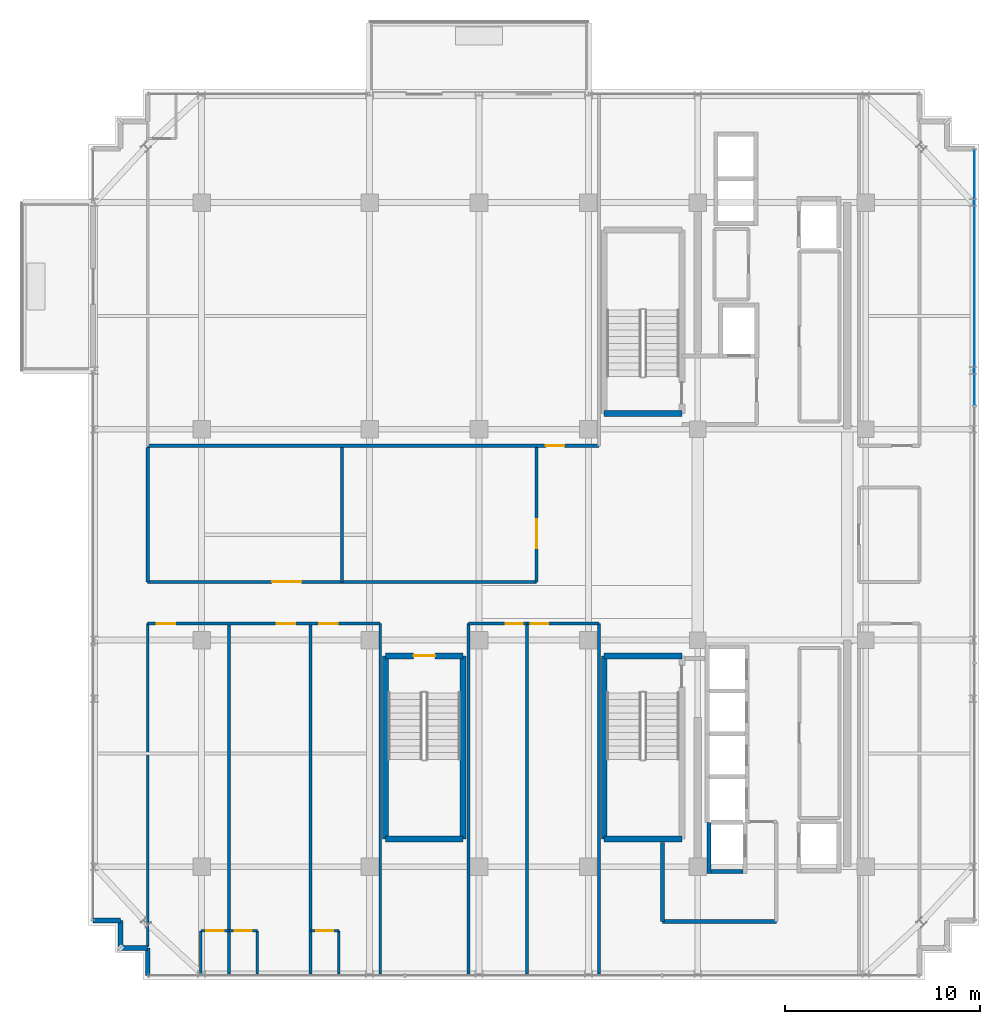
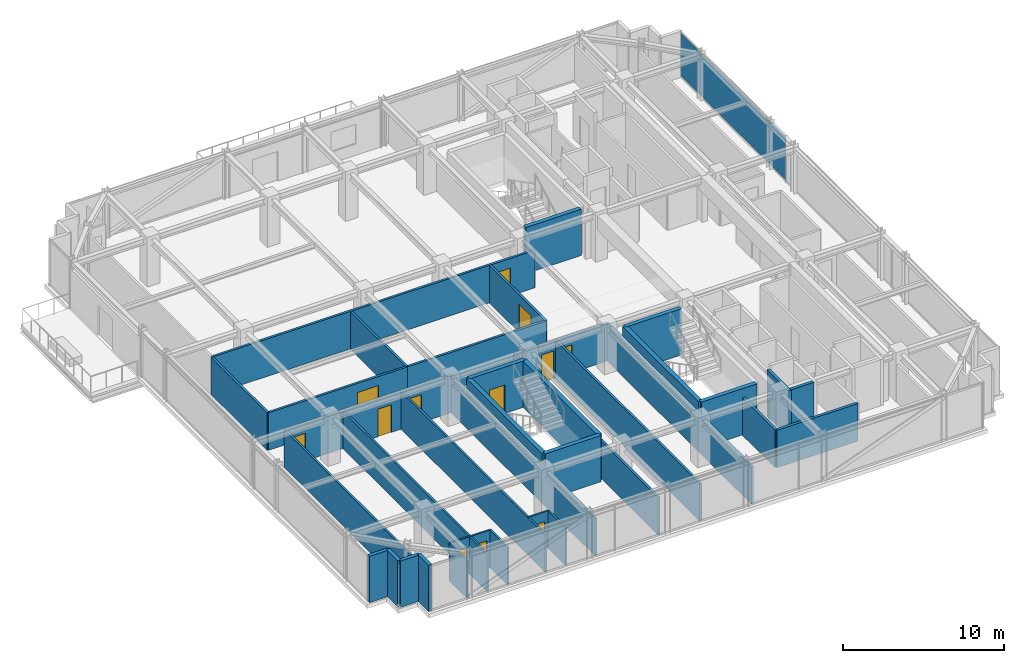
# One storey, part 30 of 36: 38 walls, 12 doors, 1 plate, 12 openings, 1 element without a shape of its own.
"""IFC4 building model written with IfcOpenShell, lengths in metres."""

from ifc_helpers import new_model, si_unit, direction, frame, frame_2d, origin, origin_2d, place, context, subcontext, project, spatial, rectangle, extrude, source, transform, mapped, material, layer, layer_set, type_object, element, fill, aggregate, save


model = new_model("IFC4")

# Units and contexts
model_context = context("Model", 3, precision=1e-05, world=origin(), true_north=direction((0.0, 1.0)))
body_context = subcontext(model_context, "Body", "Model", "MODEL_VIEW")
ifc_project = project(units=[si_unit("LENGTHUNIT", "METRE"), si_unit("AREAUNIT", "SQUARE_METRE"), si_unit("VOLUMEUNIT", "CUBIC_METRE"), si_unit("PLANEANGLEUNIT", "RADIAN"), si_unit("MASSUNIT", "GRAM", prefix="KILO")], contexts=[model_context])

# Site, building, storey
site_placement = place(None, origin())
site = spatial("IfcSite", under=ifc_project, at=site_placement, CompositionType="ELEMENT")
building_placement = place(site_placement, origin())
building = spatial("IfcBuilding", under=site, at=building_placement, Name="Nahalor Promenade Grand Hotel", CompositionType="ELEMENT")
storey_placement = place(building_placement, frame((0.0, 0.0, 319.550048828125)))
storey = spatial("IfcBuildingStorey", under=building, at=storey_placement, Name="L82", CompositionType="ELEMENT", Elevation=319.550048828125)

# Curtain wall, plate
ifc_material_1 = material(Name="Anodised Bronze Aluminium EN AW-6063 T6", Category="aluminium")
curtain_wall_type = type_object("IfcCurtainWallType", Name="CW2 Typical Hotel Flush Bronze Unitised Curtain Wall", PredefinedType="USERDEFINED", material=ifc_material_1)
curtain_wall_placement = place(storey_placement, origin())
curtain_wall = element("IfcCurtainWall", 1, at=curtain_wall_placement, inside=storey, type_object=curtain_wall_type, Name="L82 Curtain Wall CW-L82-E-1", ObjectType="UNITISED_CURTAIN_WALL", PredefinedType="USERDEFINED")
ifc_material_2 = material(Name="Low-E Laminated Solar Glass", Category="glass")
ifc_layer_1 = layer(ifc_material_2, 0.028076171875)
ifc_layer_set_1 = layer_set([ifc_layer_1], Name="Low-E Laminated Solar Glass")
plate_type = type_object("IfcPlateType", Name="CWP2 Bronze Low-E Vision IGU 28mm", PredefinedType="CURTAIN_PANEL", material=ifc_layer_set_1)
shared_shape_1 = source(origin(), body_context, "Body", "SweptSolid", [
    extrude(rectangle(XDim=13.075927734375, YDim=0.028076171875, at=origin_2d()), origin(), (0.0, 0.0, 1.0), 3.239990234375),
])
plate_placement = place(storey_placement, frame((22.56005859375, 13.156982421875, 0.1298828125), z_axis=(0.0, 0.0, 1.0), x_axis=(0.0, 1.0, 0.0)))
plate = element("IfcPlate", 2, at=plate_placement, type_object=plate_type, Name="CW-L82-E-1 Glazing Panel 2-0", PredefinedType="CURTAIN_PANEL", context=body_context, shape_type="MappedRepresentation", body=[
    mapped(shared_shape_1, transform((0.0, 0.0, 0.0), scale=1.0)),
])
aggregate(curtain_wall, [plate])

# Walls
ifc_material_3 = material(Name="Concrete B-50 (C40/50)", Category="concrete")
ifc_layer_2 = layer(ifc_material_3, 0.300048828125)
ifc_layer_set_2 = layer_set([ifc_layer_2], Name="Concrete B-50 (C40/50)")
wall_type_1 = type_object("IfcWallType", Name="Wall-ShaftShear-300", PredefinedType="SHEAR", material=ifc_layer_set_2)
shared_shape_2 = source(origin(), body_context, "Body", "SweptSolid", [
    extrude(rectangle(XDim=3.97998046875, YDim=0.300048828125, at=frame_2d((1.989990234375, 0.0))), origin(), (0.0, 0.0, 1.0), 3.5),
])
for number, where, z_axis, x_axis, name in (
    (3, (3.610107421875, 6.2099609375, 0.0), (0.0, 0.0, 1.0), (1.0, 0.0, 0.0), "L82 Exit Stair ST1 Shaft Wall S"),
    (4, (3.610107421875, -15.590087890625, 0.0), (0.0, 0.0, 1.0), (1.0, 0.0, 0.0), "L82 Exit Stair ST2 Shaft Wall S"),
    (5, (3.610107421875, -6.2099609375, 0.0), (0.0, 0.0, 1.0), (1.0, 0.0, 0.0), "L82 Exit Stair ST2 Shaft Wall N"),
    (6, (-7.590087890625, -15.590087890625, 0.0), (0.0, 0.0, 1.0), (1.0, 0.0, 0.0), "L82 Exit Stair ST3 Shaft Wall S"),
):
    element("IfcWall", number, at=place(storey_placement, frame(where, z_axis=z_axis, x_axis=x_axis)), inside=storey, type_object=wall_type_1, Name=name, PredefinedType="SHEAR", context=body_context, shape_type="MappedRepresentation", body=[
        mapped(shared_shape_2, transform((0.0, 0.0, 0.0), scale=1.0)),
    ])

# Wall, opening, door
wall_1_placement = place(storey_placement, frame((-7.590087890625, -6.2099609375, 0.0), z_axis=(0.0, 0.0, 1.0), x_axis=(1.0, 0.0, 0.0)))
wall_1 = element("IfcWall", 7, at=wall_1_placement, inside=storey, type_object=wall_type_1, Name="L82 Exit Stair ST3 Shaft Wall N", PredefinedType="SHEAR", context=body_context, shape_type="MappedRepresentation", body=[
    mapped(shared_shape_2, transform((0.0, 0.0, 0.0), scale=1.0)),
])
opening_1_placement = place(wall_1_placement, frame((1.43994140625, 0.0, 0.0)))
opening_1 = element("IfcOpeningElement", 8, at=opening_1_placement, cuts=wall_1, Name="Opening D-ST1", PredefinedType="OPENING", context=body_context, shape_type="SweptSolid", body=[
    extrude(rectangle(XDim=1.10009765625, YDim=2.14990234375, at=frame_2d((0.550048828125, 1.074951171875))), frame((0.0, 0.159912109375, 0.0), z_axis=(0.0, -1.0, 0.0), x_axis=(1.0, 0.0, 0.0)), (0.0, 0.0, 1.0), 0.320068359375),
])
ifc_material_4 = material(Name="Steel S355JR", Category="steel")
door_type_1 = type_object("IfcDoorType", Name="Door-StairFire-1100", OperationType="NOTDEFINED", PredefinedType="DOOR", material=ifc_material_4)
shared_shape_3 = source(origin(), body_context, "Body", "SweptSolid", [
    extrude(rectangle(XDim=1.10009765625, YDim=2.14990234375, at=frame_2d((0.550048828125, 1.074951171875))), frame((0.0, 0.02490234375, 0.0), z_axis=(0.0, -1.0, 0.0), x_axis=(1.0, 0.0, 0.0)), (0.0, 0.0, 1.0), 0.050048828125),
])
door_1_placement = place(opening_1_placement, frame((1.10009765625, 0.0, 0.0), z_axis=(0.0, 0.0, 1.0), x_axis=(-1.0, 0.0, 0.0)))
door_1 = element("IfcDoor", 9, at=door_1_placement, inside=storey, type_object=door_type_1, Name="DR-STAIR-ST3-L82", OperationType="SINGLE_SWING_LEFT", OverallHeight=2.14990234375, OverallWidth=1.10009765625, PredefinedType="DOOR", context=body_context, shape_type="MappedRepresentation", body=[
    mapped(shared_shape_3, transform((0.0, 0.0, 0.0), scale=1.0)),
])
fill(opening_1, door_1)

# Walls
shared_shape_4 = source(origin(), body_context, "Body", "SweptSolid", [
    extrude(rectangle(XDim=9.380126953125, YDim=0.300048828125, at=frame_2d((4.68994140625, 0.0))), origin(), (0.0, 0.0, 1.0), 3.5),
])
for number, where, z_axis, x_axis, name in (
    (10, (3.610107421875, -15.590087890625, 0.0), (0.0, 0.0, 1.0), (0.0, 1.0, 0.0), "L82 Exit Stair ST2 Shaft Wall W"),
    (11, (-7.590087890625, -15.590087890625, 0.0), (0.0, 0.0, 1.0), (0.0, 1.0, 0.0), "L82 Exit Stair ST3 Shaft Wall W"),
    (12, (-3.610107421875, -15.590087890625, 0.0), (0.0, 0.0, 1.0), (0.0, 1.0, 0.0), "L82 Exit Stair ST3 Shaft Wall E"),
):
    element("IfcWall", number, at=place(storey_placement, frame(where, z_axis=z_axis, x_axis=x_axis)), inside=storey, type_object=wall_type_1, Name=name, PredefinedType="SHEAR", context=body_context, shape_type="MappedRepresentation", body=[
        mapped(shared_shape_4, transform((0.0, 0.0, 0.0), scale=1.0)),
    ])
ifc_layer_3 = layer(ifc_material_3, 0.219970703125)
ifc_layer_set_3 = layer_set([ifc_layer_3], Name="Concrete B-50 (C40/50)")
wall_type_2 = type_object("IfcWallType", Name="Wall-LiftShaft-220", PredefinedType="SHEAR", material=ifc_layer_set_3)
shared_shape_5 = source(origin(), body_context, "Body", "SweptSolid", [
    extrude(rectangle(XDim=2.635009765625, YDim=0.219970703125, at=frame_2d((1.3173828125, 0.0))), origin(), (0.0, 0.0, 1.0), 3.5),
])
wall_2_placement = place(storey_placement, frame((8.97998046875, -17.360107421875, 0.0), z_axis=(0.0, 0.0, 1.0), x_axis=(0.0, 1.0, 0.0)))
element("IfcWall", 13, at=wall_2_placement, inside=storey, type_object=wall_type_2, Name="L82 Lift FL2 Hoistway Wall W", PredefinedType="SHEAR", context=body_context, shape_type="MappedRepresentation", body=[
    mapped(shared_shape_5, transform((0.0, 0.0, 0.0), scale=1.0)),
])
shared_shape_6 = source(origin(), body_context, "Body", "SweptSolid", [
    extrude(rectangle(XDim=1.619873046875, YDim=0.219970703125, at=frame_2d((0.81005859375, 0.0))), origin(), (0.0, 0.0, 1.0), 3.5),
])
wall_3_placement = place(storey_placement, frame((9.090087890625, -17.25, 0.0), z_axis=(0.0, 0.0, 1.0), x_axis=(1.0, 0.0, 0.0)))
element("IfcWall", 14, at=wall_3_placement, inside=storey, type_object=wall_type_2, Name="L82 Lift FL2 Hoistway Wall S", PredefinedType="SHEAR", context=body_context, shape_type="MappedRepresentation", body=[
    mapped(shared_shape_6, transform((0.0, 0.0, 0.0), scale=1.0)),
])
ifc_material_5 = material(Name="Concrete B-40 (C32/40)", Category="concrete")
ifc_layer_4 = layer(ifc_material_5, 0.25)
ifc_layer_set_4 = layer_set([ifc_layer_4], Name="Concrete B-40 (C32/40)")
wall_type_3 = type_object("IfcWallType", Name="Wall-BronzePier-250", PredefinedType="STANDARD", material=ifc_layer_set_4)
shared_shape_7 = source(origin(), body_context, "Body", "SweptSolid", [
    extrude(rectangle(XDim=1.400146484375, YDim=0.25, at=frame_2d((0.7001953125, 0.0))), origin(), (0.0, 0.0, 1.0), 3.5),
])
for number, where, z_axis, x_axis, name in (
    (15, (-22.56005859375, -19.760009765625, 0.0), (0.0, 0.0, 1.0), (1.0, 0.0, 0.0), "W-L82-SR-13"),
    (16, (-19.760009765625, -22.56005859375, 0.0), (0.0, 0.0, 1.0), (0.0, 1.0, 0.0), "W-L82-SR-16"),
):
    element("IfcWall", number, at=place(storey_placement, frame(where, z_axis=z_axis, x_axis=x_axis)), inside=storey, type_object=wall_type_3, Name=name, PredefinedType="STANDARD", context=body_context, shape_type="MappedRepresentation", body=[
        mapped(shared_shape_7, transform((0.0, 0.0, 0.0), scale=1.0)),
    ])
shared_shape_8 = source(origin(), body_context, "Body", "SweptSolid", [
    extrude(rectangle(XDim=1.39990234375, YDim=0.25, at=frame_2d((0.699951171875, 0.0))), origin(), (0.0, 0.0, 1.0), 3.5),
])
for number, where, z_axis, x_axis, name in (
    (17, (-21.159912109375, -21.159912109375, 0.0), (0.0, 0.0, 1.0), (0.0, 1.0, 0.0), "W-L82-SR-14"),
    (18, (-21.159912109375, -21.159912109375, 0.0), (0.0, 0.0, 1.0), (1.0, 0.0, 0.0), "W-L82-SR-15"),
):
    element("IfcWall", number, at=place(storey_placement, frame(where, z_axis=z_axis, x_axis=x_axis)), inside=storey, type_object=wall_type_3, Name=name, PredefinedType="STANDARD", context=body_context, shape_type="MappedRepresentation", body=[
        mapped(shared_shape_8, transform((0.0, 0.0, 0.0), scale=1.0)),
    ])
ifc_layer_5 = layer(ifc_material_5, 0.199951171875)
ifc_layer_set_5 = layer_set([ifc_layer_5], Name="Concrete B-40 (C32/40)")
wall_type_4 = type_object("IfcWallType", Name="Wall-PartFire-200", PredefinedType="PARTITIONING", material=ifc_layer_set_5)
shared_shape_9 = source(origin(), body_context, "Body", "SweptSolid", [
    extrude(rectangle(XDim=5.81982421875, YDim=0.199951171875, at=frame_2d((2.909912109375, 0.0))), origin(), (0.0, 0.0, 1.0), 2.83984375),
])
wall_4_placement = place(storey_placement, frame((6.60009765625, -19.800048828125, 0.0), z_axis=(0.0, 0.0, 1.0), x_axis=(1.0, 0.0, 0.0)))
element("IfcWall", 19, at=wall_4_placement, inside=storey, type_object=wall_type_4, Name="W-L82-FF2-S1", PredefinedType="PARTITIONING", context=body_context, shape_type="MappedRepresentation", body=[
    mapped(shared_shape_9, transform((0.0, 0.0, 0.0), scale=1.0)),
])
shared_shape_10 = source(origin(), body_context, "Body", "SweptSolid", [
    extrude(rectangle(XDim=4.030029296875, YDim=0.199951171875, at=frame_2d((2.01513671875, 0.0))), origin(), (0.0, 0.0, 1.0), 2.83984375),
])
wall_5_placement = place(storey_placement, frame((6.60009765625, -19.800048828125, 0.0), z_axis=(0.0, 0.0, 1.0), x_axis=(0.0, 1.0, 0.0)))
element("IfcWall", 20, at=wall_5_placement, inside=storey, type_object=wall_type_4, Name="W-L82-FF2-W1", PredefinedType="PARTITIONING", context=body_context, shape_type="MappedRepresentation", body=[
    mapped(shared_shape_10, transform((0.0, 0.0, 0.0), scale=1.0)),
])
ifc_material_6 = material(Name="Acoustic Mineral Gypsum", Category="gypsum")
ifc_layer_6 = layer(ifc_material_6, 0.159912109375)
ifc_layer_set_6 = layer_set([ifc_layer_6], Name="Acoustic Mineral Gypsum")
wall_type_5 = type_object("IfcWallType", Name="Wall-PartCorridor-160", PredefinedType="PARTITIONING", material=ifc_layer_set_6)
shared_shape_11 = source(origin(), body_context, "Body", "SweptSolid", [
    extrude(rectangle(XDim=17.949951171875, YDim=0.159912109375, at=frame_2d((8.97509765625, 0.0))), origin(), (0.0, 0.0, 1.0), 2.83984375),
])
for number, where, z_axis, x_axis, name in (
    (21, (-3.340087890625, -22.5, 0.0), (0.0, 0.0, 1.0), (0.0, 1.0, 0.0), "W-L82-SCB1-W"),
    (22, (-0.35009765625, -22.5, 0.0), (0.0, 0.0, 1.0), (0.0, 1.0, 0.0), "W-L82-SCB1-E"),
    (23, (3.340087890625, -22.5, 0.0), (0.0, 0.0, 1.0), (0.0, 1.0, 0.0), "W-L82-SCB2-E"),
):
    element("IfcWall", number, at=place(storey_placement, frame(where, z_axis=z_axis, x_axis=x_axis)), inside=storey, type_object=wall_type_5, Name=name, PredefinedType="PARTITIONING", context=body_context, shape_type="MappedRepresentation", body=[
        mapped(shared_shape_11, transform((0.0, 0.0, 0.0), scale=1.0)),
    ])

# Wall, opening, door
shared_shape_12 = source(origin(), body_context, "Body", "SweptSolid", [
    extrude(rectangle(XDim=23.10009765625, YDim=0.159912109375, at=frame_2d((11.550048828125, 0.0))), origin(), (0.0, 0.0, 1.0), 2.83984375),
])
wall_6_placement = place(storey_placement, frame((-19.760009765625, 4.550048828125, 0.0), z_axis=(0.0, 0.0, 1.0), x_axis=(1.0, 0.0, 0.0)))
wall_6 = element("IfcWall", 24, at=wall_6_placement, inside=storey, type_object=wall_type_5, Name="W-L82-CORR-N", PredefinedType="PARTITIONING", context=body_context, shape_type="MappedRepresentation", body=[
    mapped(shared_shape_12, transform((0.0, 0.0, 0.0), scale=1.0)),
])
opening_2_placement = place(wall_6_placement, frame((20.385009765625, 0.0, 0.0)))
opening_2 = element("IfcOpeningElement", 25, at=opening_2_placement, cuts=wall_6, Name="Opening D-01", PredefinedType="OPENING", context=body_context, shape_type="SweptSolid", body=[
    extrude(rectangle(XDim=0.949951171875, YDim=2.10009765625, at=frame_2d((0.47509765625, 1.050048828125))), frame((0.0, 0.08984375, 0.0), z_axis=(0.0, -1.0, 0.0), x_axis=(1.0, 0.0, 0.0)), (0.0, 0.0, 1.0), 0.179931640625),
])
ifc_material_7 = material(Name="Fire-Rated Timber Composite", Category="wood")
door_type_2 = type_object("IfcDoorType", Name="Door-GuestEntry-950", OperationType="NOTDEFINED", PredefinedType="DOOR", material=ifc_material_7)
shared_shape_13 = source(origin(), body_context, "Body", "SweptSolid", [
    extrude(rectangle(XDim=0.949951171875, YDim=2.10009765625, at=frame_2d((0.47509765625, 1.050048828125))), frame((0.0, 0.02490234375, 0.0), z_axis=(0.0, -1.0, 0.0), x_axis=(1.0, 0.0, 0.0)), (0.0, 0.0, 1.0), 0.050048828125),
])
door_2_placement = place(opening_2_placement, origin())
door_2 = element("IfcDoor", 26, at=door_2_placement, inside=storey, type_object=door_type_2, Name="DR-L82-N1-ENT", OperationType="SINGLE_SWING_RIGHT", OverallHeight=2.10009765625, OverallWidth=0.949951171875, PredefinedType="DOOR", context=body_context, shape_type="MappedRepresentation", body=[
    mapped(shared_shape_13, transform((0.0, 0.0, 0.0), scale=1.0)),
])
fill(opening_2, door_2)

# Walls
ifc_layer_7 = layer(ifc_material_6, 0.139892578125)
ifc_layer_set_7 = layer_set([ifc_layer_7], Name="Acoustic Mineral Gypsum")
wall_type_6 = type_object("IfcWallType", Name="Wall-PartSuite-140", PredefinedType="PARTITIONING", material=ifc_layer_set_7)
shared_shape_14 = source(origin(), body_context, "Body", "SweptSolid", [
    extrude(rectangle(XDim=16.530029296875, YDim=0.139892578125, at=frame_2d((8.26513671875, 0.0))), origin(), (0.0, 0.0, 1.0), 2.83984375),
])
wall_7_placement = place(storey_placement, frame((-19.760009765625, -21.080078125, 0.0), z_axis=(0.0, 0.0, 1.0), x_axis=(0.0, 1.0, 0.0)))
element("IfcWall", 27, at=wall_7_placement, inside=storey, type_object=wall_type_6, Name="W-L82-SW-ENDW", PredefinedType="PARTITIONING", context=body_context, shape_type="MappedRepresentation", body=[
    mapped(shared_shape_14, transform((0.0, 0.0, 0.0), scale=1.0)),
])
shared_shape_15 = source(origin(), body_context, "Body", "SweptSolid", [
    extrude(rectangle(XDim=17.949951171875, YDim=0.139892578125, at=frame_2d((8.97509765625, 0.0))), origin(), (0.0, 0.0, 1.0), 2.83984375),
])
for number, where, z_axis, x_axis, name in (
    (28, (-7.860107421875, -22.5, 0.0), (0.0, 0.0, 1.0), (0.0, 1.0, 0.0), "W-L82-SW-ENDE"),
    (29, (-15.594970703125, -22.5, 0.0), (0.0, 0.0, 1.0), (0.0, 1.0, 0.0), "W-L82-SP-1"),
    (30, (-11.429931640625, -22.5, 0.0), (0.0, 0.0, 1.0), (0.0, 1.0, 0.0), "W-L82-SP-2"),
):
    element("IfcWall", number, at=place(storey_placement, frame(where, z_axis=z_axis, x_axis=x_axis)), inside=storey, type_object=wall_type_6, Name=name, PredefinedType="PARTITIONING", context=body_context, shape_type="MappedRepresentation", body=[
        mapped(shared_shape_15, transform((0.0, 0.0, 0.0), scale=1.0)),
    ])

# Wall, opening, door
ifc_layer_8 = layer(ifc_material_6, 0.1201171875)
ifc_layer_set_8 = layer_set([ifc_layer_8], Name="Acoustic Mineral Gypsum")
wall_type_7 = type_object("IfcWallType", Name="Wall-PartBath-120", PredefinedType="PARTITIONING", material=ifc_layer_set_8)
shared_shape_16 = source(origin(), body_context, "Body", "SweptSolid", [
    extrude(rectangle(XDim=1.449951171875, YDim=0.1201171875, at=frame_2d((0.72509765625, 0.0))), origin(), (0.0, 0.0, 1.0), 2.83984375),
])
wall_8_placement = place(storey_placement, frame((-17.044921875, -20.280029296875, 0.0), z_axis=(0.0, 0.0, 1.0), x_axis=(1.0, 0.0, 0.0)))
wall_8 = element("IfcWall", 31, at=wall_8_placement, inside=storey, type_object=wall_type_7, Name="W-L82-S1-BH", PredefinedType="PARTITIONING", context=body_context, shape_type="MappedRepresentation", body=[
    mapped(shared_shape_16, transform((0.0, 0.0, 0.0), scale=1.0)),
])
opening_3_placement = place(wall_8_placement, frame((0.284912109375, 0.0, 0.0)))
opening_3 = element("IfcOpeningElement", 32, at=opening_3_placement, cuts=wall_8, Name="Opening D-03", PredefinedType="OPENING", context=body_context, shape_type="SweptSolid", body=[
    extrude(rectangle(XDim=0.8798828125, YDim=2.10009765625, at=frame_2d((0.43994140625, 1.050048828125))), frame((0.0, 0.070068359375, 0.0), z_axis=(0.0, -1.0, 0.0), x_axis=(1.0, 0.0, 0.0)), (0.0, 0.0, 1.0), 0.14013671875),
])
door_type_3 = type_object("IfcDoorType", Name="Door-BathSwing-880", OperationType="NOTDEFINED", PredefinedType="DOOR", material=ifc_material_7)
shared_shape_17 = source(origin(), body_context, "Body", "SweptSolid", [
    extrude(rectangle(XDim=0.8798828125, YDim=2.10009765625, at=frame_2d((0.43994140625, 1.050048828125))), frame((0.0, 0.02490234375, 0.0), z_axis=(0.0, -1.0, 0.0), x_axis=(1.0, 0.0, 0.0)), (0.0, 0.0, 1.0), 0.050048828125),
])
door_3_placement = place(opening_3_placement, frame((0.8798828125, 0.0, 0.0), z_axis=(0.0, 0.0, 1.0), x_axis=(-1.0, 0.0, 0.0)))
door_3 = element("IfcDoor", 33, at=door_3_placement, inside=storey, type_object=door_type_3, Name="DR-L82-S1-BATH", OperationType="SINGLE_SWING_LEFT", OverallHeight=2.10009765625, OverallWidth=0.8798828125, PredefinedType="DOOR", context=body_context, shape_type="MappedRepresentation", body=[
    mapped(shared_shape_17, transform((0.0, 0.0, 0.0), scale=1.0)),
])
fill(opening_3, door_3)

wall_9_placement = place(storey_placement, frame((-15.594970703125, -20.280029296875, 0.0), z_axis=(0.0, 0.0, 1.0), x_axis=(1.0, 0.0, 0.0)))
wall_9 = element("IfcWall", 34, at=wall_9_placement, inside=storey, type_object=wall_type_7, Name="W-L82-S2-BH", PredefinedType="PARTITIONING", context=body_context, shape_type="MappedRepresentation", body=[
    mapped(shared_shape_16, transform((0.0, 0.0, 0.0), scale=1.0)),
])
opening_4_placement = place(wall_9_placement, frame((0.284912109375, 0.0, 0.0)))
opening_4 = element("IfcOpeningElement", 35, at=opening_4_placement, cuts=wall_9, Name="Opening D-03", PredefinedType="OPENING", context=body_context, shape_type="SweptSolid", body=[
    extrude(rectangle(XDim=0.8798828125, YDim=2.10009765625, at=frame_2d((0.43994140625, 1.050048828125))), frame((0.0, 0.070068359375, 0.0), z_axis=(0.0, -1.0, 0.0), x_axis=(1.0, 0.0, 0.0)), (0.0, 0.0, 1.0), 0.14013671875),
])
door_4_placement = place(opening_4_placement, frame((0.8798828125, 0.0, 0.0), z_axis=(0.0, 0.0, 1.0), x_axis=(-1.0, 0.0, 0.0)))
door_4 = element("IfcDoor", 36, at=door_4_placement, inside=storey, type_object=door_type_3, Name="DR-L82-S2-BATH", OperationType="SINGLE_SWING_LEFT", OverallHeight=2.10009765625, OverallWidth=0.8798828125, PredefinedType="DOOR", context=body_context, shape_type="MappedRepresentation", body=[
    mapped(shared_shape_17, transform((0.0, 0.0, 0.0), scale=1.0)),
])
fill(opening_4, door_4)

wall_10_placement = place(storey_placement, frame((-11.429931640625, -20.280029296875, 0.0), z_axis=(0.0, 0.0, 1.0), x_axis=(1.0, 0.0, 0.0)))
wall_10 = element("IfcWall", 37, at=wall_10_placement, inside=storey, type_object=wall_type_7, Name="W-L82-S3-BH", PredefinedType="PARTITIONING", context=body_context, shape_type="MappedRepresentation", body=[
    mapped(shared_shape_16, transform((0.0, 0.0, 0.0), scale=1.0)),
])
opening_5_placement = place(wall_10_placement, frame((0.284912109375, 0.0, 0.0)))
opening_5 = element("IfcOpeningElement", 38, at=opening_5_placement, cuts=wall_10, Name="Opening D-03", PredefinedType="OPENING", context=body_context, shape_type="SweptSolid", body=[
    extrude(rectangle(XDim=0.8798828125, YDim=2.10009765625, at=frame_2d((0.43994140625, 1.050048828125))), frame((0.0, 0.070068359375, 0.0), z_axis=(0.0, -1.0, 0.0), x_axis=(1.0, 0.0, 0.0)), (0.0, 0.0, 1.0), 0.14013671875),
])
door_5_placement = place(opening_5_placement, frame((0.8798828125, 0.0, 0.0), z_axis=(0.0, 0.0, 1.0), x_axis=(-1.0, 0.0, 0.0)))
door_5 = element("IfcDoor", 39, at=door_5_placement, inside=storey, type_object=door_type_3, Name="DR-L82-S3-BATH", OperationType="SINGLE_SWING_LEFT", OverallHeight=2.10009765625, OverallWidth=0.8798828125, PredefinedType="DOOR", context=body_context, shape_type="MappedRepresentation", body=[
    mapped(shared_shape_17, transform((0.0, 0.0, 0.0), scale=1.0)),
])
fill(opening_5, door_5)

# Walls
shared_shape_18 = source(origin(), body_context, "Body", "SweptSolid", [
    extrude(rectangle(XDim=2.219970703125, YDim=0.1201171875, at=frame_2d((1.10986328125, 0.0))), origin(), (0.0, 0.0, 1.0), 2.83984375),
])
for number, where, z_axis, x_axis, name in (
    (40, (-17.044921875, -22.5, 0.0), (0.0, 0.0, 1.0), (0.0, 1.0, 0.0), "W-L82-S1-BV"),
    (41, (-14.14501953125, -22.5, 0.0), (0.0, 0.0, 1.0), (0.0, 1.0, 0.0), "W-L82-S2-BV"),
    (42, (-9.97998046875, -22.5, 0.0), (0.0, 0.0, 1.0), (0.0, 1.0, 0.0), "W-L82-S3-BV"),
):
    element("IfcWall", number, at=place(storey_placement, frame(where, z_axis=z_axis, x_axis=x_axis)), inside=storey, type_object=wall_type_7, Name=name, PredefinedType="PARTITIONING", context=body_context, shape_type="MappedRepresentation", body=[
        mapped(shared_shape_18, transform((0.0, 0.0, 0.0), scale=1.0)),
    ])

# Wall, openings, doors
shared_shape_19 = source(origin(), body_context, "Body", "SweptSolid", [
    extrude(rectangle(XDim=11.89990234375, YDim=0.159912109375, at=frame_2d((5.949951171875, 0.0))), origin(), (0.0, 0.0, 1.0), 2.83984375),
])
wall_11_placement = place(storey_placement, frame((-19.760009765625, -4.550048828125, 0.0), z_axis=(0.0, 0.0, 1.0), x_axis=(1.0, 0.0, 0.0)))
wall_11 = element("IfcWall", 43, at=wall_11_placement, inside=storey, type_object=wall_type_5, Name="W-L82-CORR-S", PredefinedType="PARTITIONING", context=body_context, shape_type="MappedRepresentation", body=[
    mapped(shared_shape_19, transform((0.0, 0.0, 0.0), scale=1.0)),
])
opening_6_placement = place(wall_11_placement, frame((0.45703125, 0.0, 0.0)))
opening_6 = element("IfcOpeningElement", 44, at=opening_6_placement, cuts=wall_11, Name="Opening D-01", PredefinedType="OPENING", context=body_context, shape_type="SweptSolid", body=[
    extrude(rectangle(XDim=0.949951171875, YDim=2.10009765625, at=frame_2d((0.47509765625, 1.050048828125))), frame((0.0, 0.08984375, 0.0), z_axis=(0.0, -1.0, 0.0), x_axis=(1.0, 0.0, 0.0)), (0.0, 0.0, 1.0), 0.179931640625),
])
opening_7_placement = place(wall_11_placement, frame((6.60888671875, 0.0, 0.0)))
opening_7 = element("IfcOpeningElement", 45, at=opening_7_placement, cuts=wall_11, Name="Opening D-01", PredefinedType="OPENING", context=body_context, shape_type="SweptSolid", body=[
    extrude(rectangle(XDim=0.949951171875, YDim=2.10009765625, at=frame_2d((0.47509765625, 1.050048828125))), frame((0.0, 0.08984375, 0.0), z_axis=(0.0, -1.0, 0.0), x_axis=(1.0, 0.0, 0.0)), (0.0, 0.0, 1.0), 0.179931640625),
])
opening_8_placement = place(wall_11_placement, frame((8.77392578125, 0.0, 0.0)))
opening_8 = element("IfcOpeningElement", 46, at=opening_8_placement, cuts=wall_11, Name="Opening D-01", PredefinedType="OPENING", context=body_context, shape_type="SweptSolid", body=[
    extrude(rectangle(XDim=0.949951171875, YDim=2.10009765625, at=frame_2d((0.47509765625, 1.050048828125))), frame((0.0, 0.08984375, 0.0), z_axis=(0.0, -1.0, 0.0), x_axis=(1.0, 0.0, 0.0)), (0.0, 0.0, 1.0), 0.179931640625),
])
door_6_placement = place(opening_6_placement, frame((0.949951171875, 0.0, 0.0), z_axis=(0.0, 0.0, 1.0), x_axis=(-1.0, 0.0, 0.0)))
door_6 = element("IfcDoor", 47, at=door_6_placement, inside=storey, type_object=door_type_2, Name="DR-L82-S1-ENT", OperationType="SINGLE_SWING_RIGHT", OverallHeight=2.10009765625, OverallWidth=0.949951171875, PredefinedType="DOOR", context=body_context, shape_type="MappedRepresentation", body=[
    mapped(shared_shape_13, transform((0.0, 0.0, 0.0), scale=1.0)),
])
fill(opening_6, door_6)
door_7_placement = place(opening_7_placement, frame((0.949951171875, 0.0, 0.0), z_axis=(0.0, 0.0, 1.0), x_axis=(-1.0, 0.0, 0.0)))
door_7 = element("IfcDoor", 48, at=door_7_placement, inside=storey, type_object=door_type_2, Name="DR-L82-S2-ENT", OperationType="SINGLE_SWING_RIGHT", OverallHeight=2.10009765625, OverallWidth=0.949951171875, PredefinedType="DOOR", context=body_context, shape_type="MappedRepresentation", body=[
    mapped(shared_shape_13, transform((0.0, 0.0, 0.0), scale=1.0)),
])
fill(opening_7, door_7)
door_8_placement = place(opening_8_placement, frame((0.949951171875, 0.0, 0.0), z_axis=(0.0, 0.0, 1.0), x_axis=(-1.0, 0.0, 0.0)))
door_8 = element("IfcDoor", 49, at=door_8_placement, inside=storey, type_object=door_type_2, Name="DR-L82-S3-ENT", OperationType="SINGLE_SWING_RIGHT", OverallHeight=2.10009765625, OverallWidth=0.949951171875, PredefinedType="DOOR", context=body_context, shape_type="MappedRepresentation", body=[
    mapped(shared_shape_13, transform((0.0, 0.0, 0.0), scale=1.0)),
])
fill(opening_8, door_8)

# Wall, opening, door
shared_shape_20 = source(origin(), body_context, "Body", "SweptSolid", [
    extrude(rectangle(XDim=2.989990234375, YDim=0.159912109375, at=frame_2d((1.4951171875, 0.0))), origin(), (0.0, 0.0, 1.0), 2.83984375),
])
wall_12_placement = place(storey_placement, frame((-3.340087890625, -4.550048828125, 0.0), z_axis=(0.0, 0.0, 1.0), x_axis=(1.0, 0.0, 0.0)))
wall_12 = element("IfcWall", 50, at=wall_12_placement, inside=storey, type_object=wall_type_5, Name="W-L82-SCB1-N", PredefinedType="PARTITIONING", context=body_context, shape_type="MappedRepresentation", body=[
    mapped(shared_shape_20, transform((0.0, 0.0, 0.0), scale=1.0)),
])
opening_9_placement = place(wall_12_placement, frame((1.89990234375, 0.0, 0.0)))
opening_9 = element("IfcOpeningElement", 51, at=opening_9_placement, cuts=wall_12, Name="Opening D-03", PredefinedType="OPENING", context=body_context, shape_type="SweptSolid", body=[
    extrude(rectangle(XDim=0.8798828125, YDim=2.10009765625, at=frame_2d((0.43994140625, 1.050048828125))), frame((0.0, 0.08984375, 0.0), z_axis=(0.0, -1.0, 0.0), x_axis=(1.0, 0.0, 0.0)), (0.0, 0.0, 1.0), 0.179931640625),
])
door_9_placement = place(opening_9_placement, frame((0.8798828125, 0.0, 0.0), z_axis=(0.0, 0.0, 1.0), x_axis=(-1.0, 0.0, 0.0)))
door_9 = element("IfcDoor", 52, at=door_9_placement, inside=storey, type_object=door_type_3, Name="DR-L82-SCB1", OperationType="SINGLE_SWING_LEFT", OverallHeight=2.10009765625, OverallWidth=0.8798828125, PredefinedType="DOOR", context=body_context, shape_type="MappedRepresentation", body=[
    mapped(shared_shape_17, transform((0.0, 0.0, 0.0), scale=1.0)),
])
fill(opening_9, door_9)

shared_shape_21 = source(origin(), body_context, "Body", "SweptSolid", [
    extrude(rectangle(XDim=3.690185546875, YDim=0.159912109375, at=frame_2d((1.84521484375, 0.0))), origin(), (0.0, 0.0, 1.0), 2.83984375),
])
wall_13_placement = place(storey_placement, frame((-0.35009765625, -4.550048828125, 0.0), z_axis=(0.0, 0.0, 1.0), x_axis=(1.0, 0.0, 0.0)))
wall_13 = element("IfcWall", 53, at=wall_13_placement, inside=storey, type_object=wall_type_5, Name="W-L82-SCB2-N", PredefinedType="PARTITIONING", context=body_context, shape_type="MappedRepresentation", body=[
    mapped(shared_shape_21, transform((0.0, 0.0, 0.0), scale=1.0)),
])
opening_10_placement = place(wall_13_placement, frame((0.2099609375, 0.0, 0.0)))
opening_10 = element("IfcOpeningElement", 54, at=opening_10_placement, cuts=wall_13, Name="Opening D-03", PredefinedType="OPENING", context=body_context, shape_type="SweptSolid", body=[
    extrude(rectangle(XDim=0.8798828125, YDim=2.10009765625, at=frame_2d((0.43994140625, 1.050048828125))), frame((0.0, 0.08984375, 0.0), z_axis=(0.0, -1.0, 0.0), x_axis=(1.0, 0.0, 0.0)), (0.0, 0.0, 1.0), 0.179931640625),
])
door_10_placement = place(opening_10_placement, frame((0.8798828125, 0.0, 0.0), z_axis=(0.0, 0.0, 1.0), x_axis=(-1.0, 0.0, 0.0)))
door_10 = element("IfcDoor", 55, at=door_10_placement, inside=storey, type_object=door_type_3, Name="DR-L82-SCB2", OperationType="SINGLE_SWING_RIGHT", OverallHeight=2.10009765625, OverallWidth=0.8798828125, PredefinedType="DOOR", context=body_context, shape_type="MappedRepresentation", body=[
    mapped(shared_shape_17, transform((0.0, 0.0, 0.0), scale=1.0)),
])
fill(opening_10, door_10)

shared_shape_22 = source(origin(), body_context, "Body", "SweptSolid", [
    extrude(rectangle(XDim=9.955078125, YDim=0.159912109375, at=frame_2d((4.9775390625, 0.0))), origin(), (0.0, 0.0, 1.0), 2.83984375),
])
wall_14_placement = place(storey_placement, frame((-19.760009765625, -2.419921875, 0.0), z_axis=(0.0, 0.0, 1.0), x_axis=(1.0, 0.0, 0.0)))
wall_14 = element("IfcWall", 56, at=wall_14_placement, inside=storey, type_object=wall_type_5, Name="W-L82-ZW1-S", PredefinedType="PARTITIONING", context=body_context, shape_type="MappedRepresentation", body=[
    mapped(shared_shape_22, transform((0.0, 0.0, 0.0), scale=1.0)),
])
opening_11_placement = place(wall_14_placement, frame((6.364990234375, 0.0, 0.0)))
opening_11 = element("IfcOpeningElement", 57, at=opening_11_placement, cuts=wall_14, Name="Opening D-02", PredefinedType="OPENING", context=body_context, shape_type="SweptSolid", body=[
    extrude(rectangle(XDim=1.5, YDim=2.14990234375, at=frame_2d((0.75, 1.074951171875))), frame((0.0, 0.08984375, 0.0), z_axis=(0.0, -1.0, 0.0), x_axis=(1.0, 0.0, 0.0)), (0.0, 0.0, 1.0), 0.179931640625),
])
door_type_4 = type_object("IfcDoorType", Name="Door-SuiteDouble-1500", OperationType="DOUBLE_DOOR_SINGLE_SWING", PredefinedType="DOOR", material=ifc_material_7)
shared_shape_23 = source(origin(), body_context, "Body", "SweptSolid", [
    extrude(rectangle(XDim=1.5, YDim=2.14990234375, at=frame_2d((0.75, 1.074951171875))), frame((0.0, 0.02490234375, 0.0), z_axis=(0.0, -1.0, 0.0), x_axis=(1.0, 0.0, 0.0)), (0.0, 0.0, 1.0), 0.050048828125),
])
door_11_placement = place(opening_11_placement, origin())
door_11 = element("IfcDoor", 58, at=door_11_placement, inside=storey, type_object=door_type_4, Name="DR-L82-ZW1", OperationType="DOUBLE_DOOR_SINGLE_SWING", OverallHeight=2.14990234375, OverallWidth=1.5, PredefinedType="DOOR", context=body_context, shape_type="MappedRepresentation", body=[
    mapped(shared_shape_23, transform((0.0, 0.0, 0.0), scale=1.0)),
])
fill(opening_11, door_11)

# Walls
shared_shape_24 = source(origin(), body_context, "Body", "SweptSolid", [
    extrude(rectangle(XDim=6.889892578125, YDim=0.159912109375, at=frame_2d((3.44482421875, 0.0))), origin(), (0.0, 0.0, 1.0), 2.83984375),
])
for number, where, z_axis, x_axis, name in (
    (59, (-19.760009765625, -2.419921875, 0.0), (0.0, 0.0, 1.0), (0.0, 1.0, 0.0), "W-L82-ZW1-W"),
    (60, (-9.804931640625, -2.419921875, 0.0), (0.0, 0.0, 1.0), (0.0, 1.0, 0.0), "W-L82-ZW1-E"),
):
    element("IfcWall", number, at=place(storey_placement, frame(where, z_axis=z_axis, x_axis=x_axis)), inside=storey, type_object=wall_type_5, Name=name, PredefinedType="PARTITIONING", context=body_context, shape_type="MappedRepresentation", body=[
        mapped(shared_shape_24, transform((0.0, 0.0, 0.0), scale=1.0)),
    ])

# Wall, opening, door
wall_15_placement = place(storey_placement, frame((0.14990234375, -2.419921875, 0.0), z_axis=(0.0, 0.0, 1.0), x_axis=(0.0, 1.0, 0.0)))
wall_15 = element("IfcWall", 61, at=wall_15_placement, inside=storey, type_object=wall_type_5, Name="W-L82-ZW2-E", PredefinedType="PARTITIONING", context=body_context, shape_type="MappedRepresentation", body=[
    mapped(shared_shape_24, transform((0.0, 0.0, 0.0), scale=1.0)),
])
opening_12_placement = place(wall_15_placement, frame((1.718017578125, 0.0, 0.0)))
opening_12 = element("IfcOpeningElement", 62, at=opening_12_placement, cuts=wall_15, Name="Opening D-02", PredefinedType="OPENING", context=body_context, shape_type="SweptSolid", body=[
    extrude(rectangle(XDim=1.5, YDim=2.14990234375, at=frame_2d((0.75, 1.074951171875))), frame((0.0, 0.08984375, 0.0), z_axis=(0.0, -1.0, 0.0), x_axis=(1.0, 0.0, 0.0)), (0.0, 0.0, 1.0), 0.179931640625),
])
door_12_placement = place(opening_12_placement, origin())
door_12 = element("IfcDoor", 63, at=door_12_placement, inside=storey, type_object=door_type_4, Name="DR-L82-ZW2", OperationType="DOUBLE_DOOR_SINGLE_SWING", OverallHeight=2.14990234375, OverallWidth=1.5, PredefinedType="DOOR", context=body_context, shape_type="MappedRepresentation", body=[
    mapped(shared_shape_23, transform((0.0, 0.0, 0.0), scale=1.0)),
])
fill(opening_12, door_12)

# Wall
shared_shape_25 = source(origin(), body_context, "Body", "SweptSolid", [
    extrude(rectangle(XDim=9.954833984375, YDim=0.159912109375, at=frame_2d((4.9775390625, 0.0))), origin(), (0.0, 0.0, 1.0), 2.83984375),
])
wall_16_placement = place(storey_placement, frame((-9.804931640625, -2.419921875, 0.0), z_axis=(0.0, 0.0, 1.0), x_axis=(1.0, 0.0, 0.0)))
element("IfcWall", 64, at=wall_16_placement, inside=storey, type_object=wall_type_5, Name="W-L82-ZW2-S", PredefinedType="PARTITIONING", context=body_context, shape_type="MappedRepresentation", body=[
    mapped(shared_shape_25, transform((0.0, 0.0, 0.0), scale=1.0)),
])

save(model, "model.ifc")
